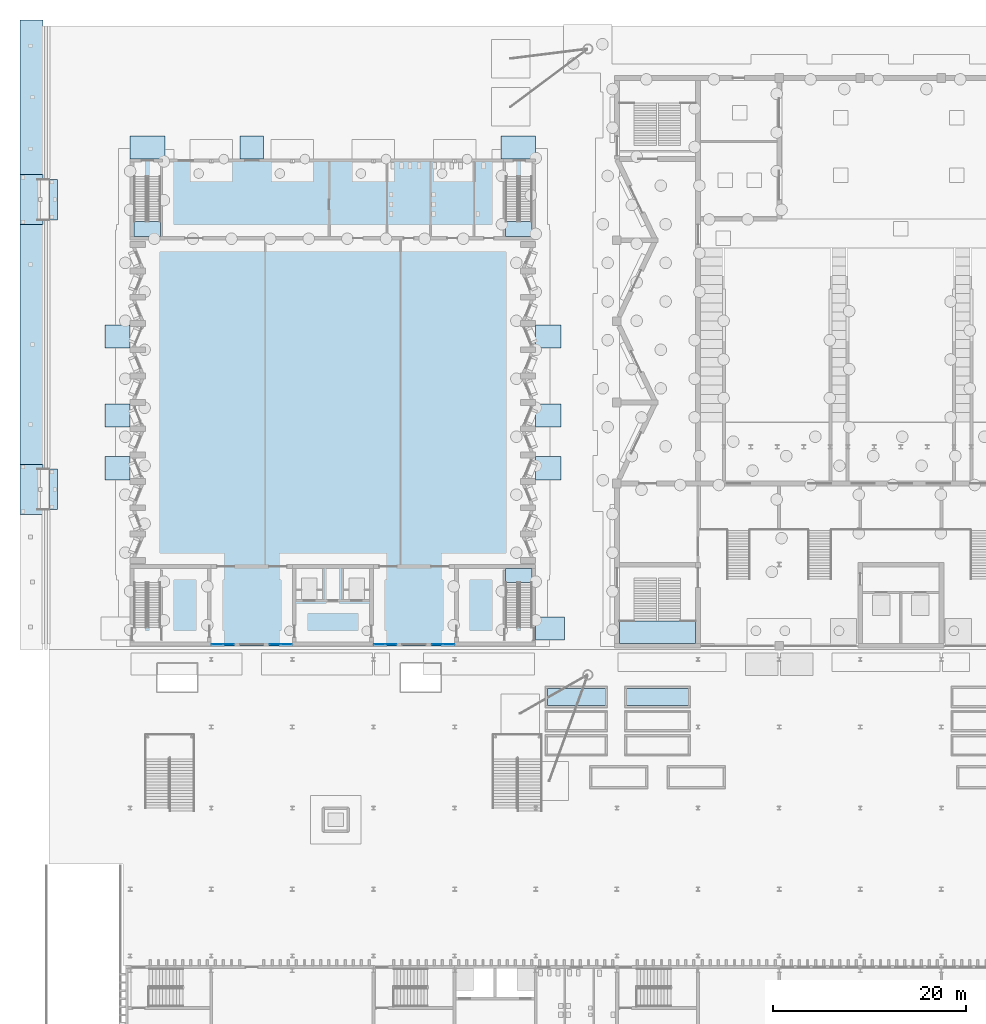
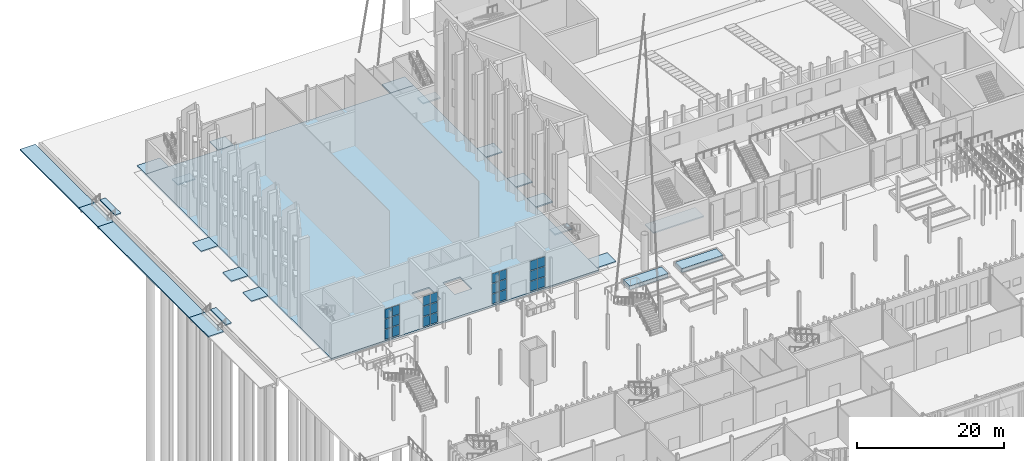
# One storey, part 47 of 108: 24 plates, 23 slabs, 8 elements without a shape of their own.
"""IFC4 building model written with IfcOpenShell, lengths in metres."""

import ifcopenshell
import ifcopenshell.guid

model = None  # the IFC model being written
_history = None  # IfcOwnerHistory: only IFC2X3 demands one
_inside = {}  # id of a spatial element -> (the spatial element, [elements in it])
_under = {}  # id of a project, library or spatial element -> (it, [spatial elements below it])
_declared = {}  # id of a project -> (the project, [libraries it declares])
_typed = {}  # id of a type object -> (the type object, [elements of that type])
_made_of = {}  # id of a material, layer set ... -> (it, [elements and type objects made of it])


def new_model(schema):
    """Start an empty IFC model of exactly this schema.

    Asked for "IFC4X3", IfcOpenShell would pick the latest addendum, in which some entities
    have other attributes; the version numbers below select the first issue.
    IFC2X3 requires an IfcOwnerHistory on every rooted entity: one is made here for all.
    """
    global model, _history
    if schema == "IFC4X3":
        model = ifcopenshell.file(schema_version=(4, 3, 0, 0))
    else:
        model = ifcopenshell.file(schema=schema)
    _inside.clear()
    _under.clear()
    _declared.clear()
    _typed.clear()
    _made_of.clear()
    _history = None
    if model.schema == "IFC2X3":
        org = make("IfcOrganization", Name="unknown")
        user = make(
            "IfcPersonAndOrganization",
            ThePerson=make("IfcPerson", FamilyName="unknown"),
            TheOrganization=org,
        )
        app = make(
            "IfcApplication",
            ApplicationDeveloper=org,
            Version="unknown",
            ApplicationFullName="unknown",
            ApplicationIdentifier="unknown",
        )
        _history = make(
            "IfcOwnerHistory",
            OwningUser=user,
            OwningApplication=app,
            ChangeAction="ADDED",
            CreationDate=0,
        )
    return model


def make(cls, **values):
    """One entity of the class cls with the attributes given. An attribute that is None is left unset."""
    return model.create_entity(
        cls, **{name: value for name, value in values.items() if value is not None}
    )


def rooted(cls, **values):
    """An entity with a GlobalId (a new one), such as an element, a storey or a relation."""
    return make(cls, GlobalId=ifcopenshell.guid.new(), OwnerHistory=_history, **values)


def si_unit(unit_type, name, prefix=None):
    """IfcSIUnit, for example si_unit("LENGTHUNIT", "METRE", prefix="MILLI")."""
    return make("IfcSIUnit", UnitType=unit_type, Prefix=prefix, Name=name)


def assignment(units):
    """IfcUnitAssignment: the units of a project."""
    return None if units is None else make("IfcUnitAssignment", Units=units)


def point(xyz):
    """IfcCartesianPoint."""
    return None if xyz is None else make("IfcCartesianPoint", Coordinates=xyz)


def direction(xyz):
    """IfcDirection."""
    return None if xyz is None else make("IfcDirection", DirectionRatios=xyz)


def frame(location, z_axis=None, x_axis=None):
    """IfcAxis2Placement3D, a coordinate frame: its origin and axes. An axis left out is left unset."""
    return make(
        "IfcAxis2Placement3D",
        Location=point(location),
        Axis=direction(z_axis),
        RefDirection=direction(x_axis),
    )


def frame_2d(location, x_axis=None):
    """IfcAxis2Placement2D, a coordinate frame in the plane: its origin and x axis."""
    return make(
        "IfcAxis2Placement2D", Location=point(location), RefDirection=direction(x_axis)
    )


def origin():
    """The frame at (0, 0, 0) with its axes left unset."""
    return frame((0.0, 0.0, 0.0))


def origin_2d():
    """The frame at (0, 0) in the plane with its x axis left unset."""
    return frame_2d((0.0, 0.0))


def place(relative_to, where):
    """IfcLocalPlacement: puts the frame where relative to a parent placement (None: the world)."""
    return make(
        "IfcLocalPlacement", PlacementRelTo=relative_to, RelativePlacement=where
    )


def context(
    kind, dimensions, precision=None, world=None, true_north=None, identifier=None
):
    """IfcGeometricRepresentationContext, for example the 3D "Model" context."""
    return make(
        "IfcGeometricRepresentationContext",
        ContextIdentifier=identifier,
        ContextType=kind,
        CoordinateSpaceDimension=dimensions,
        Precision=precision,
        WorldCoordinateSystem=world,
        TrueNorth=true_north,
    )


def subcontext(parent, identifier, kind, view, scale=None):
    """IfcGeometricRepresentationSubContext, for example "Body" below "Model"."""
    return make(
        "IfcGeometricRepresentationSubContext",
        ContextIdentifier=identifier,
        ContextType=kind,
        ParentContext=parent,
        TargetScale=scale,
        TargetView=view,
    )


def project(units=None, contexts=None):
    """IfcProject with its units and contexts."""
    return rooted(
        "IfcProject",
        Name="project",
        RepresentationContexts=contexts,
        UnitsInContext=assignment(units),
    )


def spatial(cls, under=None, at=None, **own):
    """A site, building, storey or space (cls), placed at a placement, below another one or the project."""
    s = rooted(cls, ObjectPlacement=at, **own)
    if under is not None:
        _under.setdefault(under.id(), (under, []))[1].append(s)
    return s


def polyline(points):
    """IfcPolyline through the points."""
    return make("IfcPolyline", Points=[point(p) for p in points])


def profile(cls, at=None, kind="AREA", **sizes):
    """A parametric profile (cls). Its sizes go by their IFC names, for example OverallWidth=200.0."""
    return make(cls, ProfileType=kind, Position=at, **sizes)


def rectangle(**sizes):
    """IfcRectangleProfileDef."""
    return profile("IfcRectangleProfileDef", **sizes)


def outline(outer, holes=None, kind="AREA"):
    """IfcArbitraryClosedProfileDef: a profile drawn as a closed curve; with holes, ...WithVoids."""
    if holes is None:
        return make("IfcArbitraryClosedProfileDef", ProfileType=kind, OuterCurve=outer)
    return make(
        "IfcArbitraryProfileDefWithVoids",
        ProfileType=kind,
        OuterCurve=outer,
        InnerCurves=holes,
    )


def extrude(swept, where, along, depth):
    """IfcExtrudedAreaSolid: the profile swept, set in the frame where, extruded along a direction by depth."""
    return make(
        "IfcExtrudedAreaSolid",
        SweptArea=swept,
        Position=where,
        ExtrudedDirection=direction(along),
        Depth=depth,
    )


def shape(context_of_items, identifier, shape_type, items):
    """IfcShapeRepresentation: the items that make up one representation, for example the "Body"."""
    return make(
        "IfcShapeRepresentation",
        ContextOfItems=context_of_items,
        RepresentationIdentifier=identifier,
        RepresentationType=shape_type,
        Items=items,
    )


def material(Name=None, Category=None):
    """IfcMaterial."""
    return make("IfcMaterial", Name=Name, Category=Category)


def layer(
    of_material, thickness, ventilated=None, Name=None, Category=None, Priority=None
):
    """IfcMaterialLayer: one layer of a wall or slab, of a material (None: an air gap)."""
    return make(
        "IfcMaterialLayer",
        Material=of_material,
        LayerThickness=thickness,
        IsVentilated=ventilated,
        Name=Name,
        Category=Category,
        Priority=Priority,
    )


def layer_set(layers, Name=None):
    """IfcMaterialLayerSet."""
    return make("IfcMaterialLayerSet", MaterialLayers=layers, LayerSetName=Name)


def made_of(thing, what):
    """Note that an element or type object is made of a material, layer set ...; save() writes the relation."""
    if what is not None:
        _made_of.setdefault(what.id(), (what, []))[1].append(thing)
    return thing


def type_object(cls, material=None, **own):
    """A type object (cls), such as IfcWallType, which elements share."""
    return made_of(rooted(cls, **own), material)


def element(
    cls,
    number,
    at=None,
    inside=None,
    cuts=None,
    type_object=None,
    material=None,
    context=None,
    identifier="Body",
    shape_type=None,
    held_by="IfcProductDefinitionShape",
    body=None,
    shapes=None,
    **own,
):
    """One element of the class cls, such as IfcWall. Its Tag is "e" and its number.

    at: its placement. inside: the storey or other place that contains it. cuts: it is an
    opening in that element (IfcRelVoidsElement). A single representation is given by context,
    identifier, shape_type and body (its items); several are given by shapes. held_by: the class
    of the entity that holds the representations. save() writes the other relations.
    """
    e = rooted(cls, Tag="e%d" % number, ObjectPlacement=at, **own)
    if body is not None:
        shapes = [shape(context, identifier, shape_type, body)]
    if shapes is not None:
        e.Representation = make(held_by, Representations=shapes)
    if inside is not None:
        _inside.setdefault(inside.id(), (inside, []))[1].append(e)
    if cuts is not None:
        rooted(
            "IfcRelVoidsElement", RelatingBuildingElement=cuts, RelatedOpeningElement=e
        )
    if type_object is not None:
        _typed.setdefault(type_object.id(), (type_object, []))[1].append(e)
    return made_of(e, material)


def aggregate(whole, parts):
    """IfcRelAggregates: a whole, such as a stair, and the parts it consists of."""
    return rooted("IfcRelAggregates", RelatingObject=whole, RelatedObjects=parts)


def save(model, path):
    """Write the relations noted so far, then the file.

    IfcRelAggregates (storeys below a building ...), IfcRelContainedInSpatialStructure (elements
    in a storey), IfcRelDefinesByType, IfcRelAssociatesMaterial and IfcRelDeclares: one each for
    every whole, place, type object, material and project.
    """
    for whole, parts in _under.values():
        aggregate(whole, parts)
    for where, things in _inside.values():
        rooted(
            "IfcRelContainedInSpatialStructure",
            RelatedElements=things,
            RelatingStructure=where,
        )
    for kind, things in _typed.values():
        rooted("IfcRelDefinesByType", RelatedObjects=things, RelatingType=kind)
    for what, things in _made_of.values():
        rooted("IfcRelAssociatesMaterial", RelatedObjects=things, RelatingMaterial=what)
    for by, libraries in _declared.values():
        rooted("IfcRelDeclares", RelatingContext=by, RelatedDefinitions=libraries)
    model.write(path)


model = new_model("IFC4")

# Units and contexts
model_context = context("Model", 3, precision=1e-05, world=origin(), true_north=direction((0.0, 1.0)))
body_context = subcontext(model_context, "Body", "Model", "MODEL_VIEW")
ifc_project = project(units=[si_unit("LENGTHUNIT", "METRE"), si_unit("AREAUNIT", "SQUARE_METRE"), si_unit("VOLUMEUNIT", "CUBIC_METRE"), si_unit("PLANEANGLEUNIT", "RADIAN"), si_unit("MASSUNIT", "GRAM", prefix="KILO")], contexts=[model_context])

# Site, building, storey
site_placement = place(None, origin())
site = spatial("IfcSite", under=ifc_project, at=site_placement, CompositionType="ELEMENT")
building_placement = place(site_placement, origin())
building = spatial("IfcBuilding", under=site, at=building_placement, Name="Cresset Court Congress Hotel", CompositionType="ELEMENT")
storey_placement = place(building_placement, origin())
storey = spatial("IfcBuildingStorey", under=building, at=storey_placement, Name="L00", CompositionType="ELEMENT", Elevation=0.0)

# Stair, slab
ifc_material_1 = material(Name="Concrete C40", Category="concrete")
stair_type_1 = type_object("IfcStairType", Name="Core stair", PredefinedType="STRAIGHT_RUN_STAIR", material=ifc_material_1)
stair_1_placement = place(storey_placement, origin())
stair_1 = element("IfcStair", 1, at=stair_1_placement, inside=storey, type_object=stair_type_1, Name="Stair ST-C1 L00", PredefinedType="STRAIGHT_RUN_STAIR")
ifc_material_2 = material(Name="Concrete C40", Category="concrete")
ifc_layer_1 = layer(ifc_material_2, 0.199951171875)
ifc_layer_set_1 = layer_set([ifc_layer_1], Name="Core stair landing")
slab_type_1 = type_object("IfcSlabType", Name="Core stair landing", PredefinedType="LANDING", material=ifc_layer_set_1)
slab_1_placement = place(storey_placement, frame((0.0, 0.0, 2.800048828125)))
slab_1 = element("IfcSlab", 2, at=slab_1_placement, type_object=slab_type_1, Name="C-ST landing 1", PredefinedType="LANDING", context=body_context, shape_type="SweptSolid", body=[
    extrude(outline(polyline([(66.949951171875, 59.050048828125), (66.949951171875, 61.3798828125), (59.050048828125, 61.3798828125), (59.050048828125, 59.050048828125), (66.949951171875, 59.050048828125)])), origin(), (0.0, 0.0, 1.0), 0.199951171875),
])
aggregate(stair_1, [slab_1])

# Curtain wall, plates
ifc_material_3 = material(Name="Aluminium frame with insulated glass", Category="aluminium")
curtain_wall_type = type_object("IfcCurtainWallType", Name="Curtain wall module 1200", PredefinedType="NOTDEFINED", material=ifc_material_3)
curtain_wall_1_placement = place(storey_placement, origin())
curtain_wall_1 = element("IfcCurtainWall", 3, at=curtain_wall_1_placement, inside=storey, type_object=curtain_wall_type, Name="Curtain wall W1", PredefinedType="NOTDEFINED")
ifc_material_4 = material(Name="Laminated glass", Category="glass")
ifc_layer_2 = layer(ifc_material_4, 0.028076171875)
ifc_layer_set_2 = layer_set([ifc_layer_2], Name="Curtain wall glass panel 28")
plate_type = type_object("IfcPlateType", Name="Curtain wall glass panel 28", PredefinedType="CURTAIN_PANEL", material=ifc_layer_set_2)
plate_1_placement = place(storey_placement, frame((17.4150390625, 58.949951171875, 0.1201171875), z_axis=(0.0, 0.0, 1.0), x_axis=(1.0, 0.0, 0.0)))
plate_1 = element("IfcPlate", 4, at=plate_1_placement, type_object=plate_type, Name="D-X1 panel 1.1", PredefinedType="CURTAIN_PANEL", context=body_context, shape_type="SweptSolid", body=[
    extrude(rectangle(XDim=1.110107421875, YDim=0.028076171875, at=origin_2d()), origin(), (0.0, 0.0, 1.0), 1.594970703125),
])
plate_2_placement = place(storey_placement, frame((17.4150390625, 58.949951171875, 1.8349609375), z_axis=(0.0, 0.0, 1.0), x_axis=(1.0, 0.0, 0.0)))
plate_2 = element("IfcPlate", 5, at=plate_2_placement, type_object=plate_type, Name="D-X1 panel 1.2", PredefinedType="CURTAIN_PANEL", context=body_context, shape_type="SweptSolid", body=[
    extrude(rectangle(XDim=1.110107421875, YDim=0.028076171875, at=origin_2d()), origin(), (0.0, 0.0, 1.0), 1.60205078125),
])
plate_3_placement = place(storey_placement, frame((17.4150390625, 58.949951171875, 3.55712890625), z_axis=(0.0, 0.0, 1.0), x_axis=(1.0, 0.0, 0.0)))
plate_3 = element("IfcPlate", 6, at=plate_3_placement, type_object=plate_type, Name="D-X1 panel 1.3", PredefinedType="CURTAIN_PANEL", context=body_context, shape_type="SweptSolid", body=[
    extrude(rectangle(XDim=1.110107421875, YDim=0.028076171875, at=origin_2d()), origin(), (0.0, 0.0, 1.0), 1.54296875),
])
plate_4_placement = place(storey_placement, frame((18.5849609375, 58.949951171875, 0.1201171875), z_axis=(0.0, 0.0, 1.0), x_axis=(1.0, 0.0, 0.0)))
plate_4 = element("IfcPlate", 7, at=plate_4_placement, type_object=plate_type, Name="D-X1 panel 2.1", PredefinedType="CURTAIN_PANEL", context=body_context, shape_type="SweptSolid", body=[
    extrude(rectangle(XDim=1.110107421875, YDim=0.028076171875, at=origin_2d()), origin(), (0.0, 0.0, 1.0), 1.594970703125),
])
plate_5_placement = place(storey_placement, frame((18.5849609375, 58.949951171875, 1.8349609375), z_axis=(0.0, 0.0, 1.0), x_axis=(1.0, 0.0, 0.0)))
plate_5 = element("IfcPlate", 8, at=plate_5_placement, type_object=plate_type, Name="D-X1 panel 2.2", PredefinedType="CURTAIN_PANEL", context=body_context, shape_type="SweptSolid", body=[
    extrude(rectangle(XDim=1.110107421875, YDim=0.028076171875, at=origin_2d()), origin(), (0.0, 0.0, 1.0), 1.60205078125),
])
plate_6_placement = place(storey_placement, frame((18.5849609375, 58.949951171875, 3.55712890625), z_axis=(0.0, 0.0, 1.0), x_axis=(1.0, 0.0, 0.0)))
plate_6 = element("IfcPlate", 9, at=plate_6_placement, type_object=plate_type, Name="D-X1 panel 2.3", PredefinedType="CURTAIN_PANEL", context=body_context, shape_type="SweptSolid", body=[
    extrude(rectangle(XDim=1.110107421875, YDim=0.028076171875, at=origin_2d()), origin(), (0.0, 0.0, 1.0), 1.54296875),
])
aggregate(curtain_wall_1, [plate_1, plate_2, plate_3, plate_4, plate_5, plate_6])

curtain_wall_2_placement = place(storey_placement, origin())
curtain_wall_2 = element("IfcCurtainWall", 10, at=curtain_wall_2_placement, inside=storey, type_object=curtain_wall_type, Name="Curtain wall W2", PredefinedType="NOTDEFINED")
plate_7_placement = place(storey_placement, frame((23.4150390625, 58.949951171875, 0.1201171875), z_axis=(0.0, 0.0, 1.0), x_axis=(1.0, 0.0, 0.0)))
plate_7 = element("IfcPlate", 11, at=plate_7_placement, type_object=plate_type, Name="D-X1 panel 1.1", PredefinedType="CURTAIN_PANEL", context=body_context, shape_type="SweptSolid", body=[
    extrude(rectangle(XDim=1.110107421875, YDim=0.028076171875, at=origin_2d()), origin(), (0.0, 0.0, 1.0), 1.594970703125),
])
plate_8_placement = place(storey_placement, frame((23.4150390625, 58.949951171875, 1.8349609375), z_axis=(0.0, 0.0, 1.0), x_axis=(1.0, 0.0, 0.0)))
plate_8 = element("IfcPlate", 12, at=plate_8_placement, type_object=plate_type, Name="D-X1 panel 1.2", PredefinedType="CURTAIN_PANEL", context=body_context, shape_type="SweptSolid", body=[
    extrude(rectangle(XDim=1.110107421875, YDim=0.028076171875, at=origin_2d()), origin(), (0.0, 0.0, 1.0), 1.60205078125),
])
plate_9_placement = place(storey_placement, frame((23.4150390625, 58.949951171875, 3.55712890625), z_axis=(0.0, 0.0, 1.0), x_axis=(1.0, 0.0, 0.0)))
plate_9 = element("IfcPlate", 13, at=plate_9_placement, type_object=plate_type, Name="D-X1 panel 1.3", PredefinedType="CURTAIN_PANEL", context=body_context, shape_type="SweptSolid", body=[
    extrude(rectangle(XDim=1.110107421875, YDim=0.028076171875, at=origin_2d()), origin(), (0.0, 0.0, 1.0), 1.54296875),
])
plate_10_placement = place(storey_placement, frame((24.5849609375, 58.949951171875, 0.1201171875), z_axis=(0.0, 0.0, 1.0), x_axis=(1.0, 0.0, 0.0)))
plate_10 = element("IfcPlate", 14, at=plate_10_placement, type_object=plate_type, Name="D-X1 panel 2.1", PredefinedType="CURTAIN_PANEL", context=body_context, shape_type="SweptSolid", body=[
    extrude(rectangle(XDim=1.110107421875, YDim=0.028076171875, at=origin_2d()), origin(), (0.0, 0.0, 1.0), 1.594970703125),
])
plate_11_placement = place(storey_placement, frame((24.5849609375, 58.949951171875, 1.8349609375), z_axis=(0.0, 0.0, 1.0), x_axis=(1.0, 0.0, 0.0)))
plate_11 = element("IfcPlate", 15, at=plate_11_placement, type_object=plate_type, Name="D-X1 panel 2.2", PredefinedType="CURTAIN_PANEL", context=body_context, shape_type="SweptSolid", body=[
    extrude(rectangle(XDim=1.110107421875, YDim=0.028076171875, at=origin_2d()), origin(), (0.0, 0.0, 1.0), 1.60205078125),
])
plate_12_placement = place(storey_placement, frame((24.5849609375, 58.949951171875, 3.55712890625), z_axis=(0.0, 0.0, 1.0), x_axis=(1.0, 0.0, 0.0)))
plate_12 = element("IfcPlate", 16, at=plate_12_placement, type_object=plate_type, Name="D-X1 panel 2.3", PredefinedType="CURTAIN_PANEL", context=body_context, shape_type="SweptSolid", body=[
    extrude(rectangle(XDim=1.110107421875, YDim=0.028076171875, at=origin_2d()), origin(), (0.0, 0.0, 1.0), 1.54296875),
])
aggregate(curtain_wall_2, [plate_7, plate_8, plate_9, plate_10, plate_11, plate_12])

curtain_wall_3_placement = place(storey_placement, origin())
curtain_wall_3 = element("IfcCurtainWall", 17, at=curtain_wall_3_placement, inside=storey, type_object=curtain_wall_type, Name="Curtain wall E1", PredefinedType="NOTDEFINED")
plate_13_placement = place(storey_placement, frame((34.215087890625, 58.949951171875, 0.1201171875), z_axis=(0.0, 0.0, 1.0), x_axis=(1.0, 0.0, 0.0)))
plate_13 = element("IfcPlate", 18, at=plate_13_placement, type_object=plate_type, Name="D-X1 panel 1.1", PredefinedType="CURTAIN_PANEL", context=body_context, shape_type="SweptSolid", body=[
    extrude(rectangle(XDim=1.110107421875, YDim=0.028076171875, at=origin_2d()), origin(), (0.0, 0.0, 1.0), 1.594970703125),
])
plate_14_placement = place(storey_placement, frame((34.215087890625, 58.949951171875, 1.8349609375), z_axis=(0.0, 0.0, 1.0), x_axis=(1.0, 0.0, 0.0)))
plate_14 = element("IfcPlate", 19, at=plate_14_placement, type_object=plate_type, Name="D-X1 panel 1.2", PredefinedType="CURTAIN_PANEL", context=body_context, shape_type="SweptSolid", body=[
    extrude(rectangle(XDim=1.110107421875, YDim=0.028076171875, at=origin_2d()), origin(), (0.0, 0.0, 1.0), 1.60205078125),
])
plate_15_placement = place(storey_placement, frame((34.215087890625, 58.949951171875, 3.55712890625), z_axis=(0.0, 0.0, 1.0), x_axis=(1.0, 0.0, 0.0)))
plate_15 = element("IfcPlate", 20, at=plate_15_placement, type_object=plate_type, Name="D-X1 panel 1.3", PredefinedType="CURTAIN_PANEL", context=body_context, shape_type="SweptSolid", body=[
    extrude(rectangle(XDim=1.110107421875, YDim=0.028076171875, at=origin_2d()), origin(), (0.0, 0.0, 1.0), 1.54296875),
])
plate_16_placement = place(storey_placement, frame((35.385009765625, 58.949951171875, 0.1201171875), z_axis=(0.0, 0.0, 1.0), x_axis=(1.0, 0.0, 0.0)))
plate_16 = element("IfcPlate", 21, at=plate_16_placement, type_object=plate_type, Name="D-X1 panel 2.1", PredefinedType="CURTAIN_PANEL", context=body_context, shape_type="SweptSolid", body=[
    extrude(rectangle(XDim=1.110107421875, YDim=0.028076171875, at=origin_2d()), origin(), (0.0, 0.0, 1.0), 1.594970703125),
])
plate_17_placement = place(storey_placement, frame((35.385009765625, 58.949951171875, 1.8349609375), z_axis=(0.0, 0.0, 1.0), x_axis=(1.0, 0.0, 0.0)))
plate_17 = element("IfcPlate", 22, at=plate_17_placement, type_object=plate_type, Name="D-X1 panel 2.2", PredefinedType="CURTAIN_PANEL", context=body_context, shape_type="SweptSolid", body=[
    extrude(rectangle(XDim=1.110107421875, YDim=0.028076171875, at=origin_2d()), origin(), (0.0, 0.0, 1.0), 1.60205078125),
])
plate_18_placement = place(storey_placement, frame((35.385009765625, 58.949951171875, 3.55712890625), z_axis=(0.0, 0.0, 1.0), x_axis=(1.0, 0.0, 0.0)))
plate_18 = element("IfcPlate", 23, at=plate_18_placement, type_object=plate_type, Name="D-X1 panel 2.3", PredefinedType="CURTAIN_PANEL", context=body_context, shape_type="SweptSolid", body=[
    extrude(rectangle(XDim=1.110107421875, YDim=0.028076171875, at=origin_2d()), origin(), (0.0, 0.0, 1.0), 1.54296875),
])
aggregate(curtain_wall_3, [plate_13, plate_14, plate_15, plate_16, plate_17, plate_18])

curtain_wall_4_placement = place(storey_placement, origin())
curtain_wall_4 = element("IfcCurtainWall", 24, at=curtain_wall_4_placement, inside=storey, type_object=curtain_wall_type, Name="Curtain wall E2", PredefinedType="NOTDEFINED")
plate_19_placement = place(storey_placement, frame((40.215087890625, 58.949951171875, 0.1201171875), z_axis=(0.0, 0.0, 1.0), x_axis=(1.0, 0.0, 0.0)))
plate_19 = element("IfcPlate", 25, at=plate_19_placement, type_object=plate_type, Name="D-X1 panel 1.1", PredefinedType="CURTAIN_PANEL", context=body_context, shape_type="SweptSolid", body=[
    extrude(rectangle(XDim=1.110107421875, YDim=0.028076171875, at=origin_2d()), origin(), (0.0, 0.0, 1.0), 1.594970703125),
])
plate_20_placement = place(storey_placement, frame((40.215087890625, 58.949951171875, 1.8349609375), z_axis=(0.0, 0.0, 1.0), x_axis=(1.0, 0.0, 0.0)))
plate_20 = element("IfcPlate", 26, at=plate_20_placement, type_object=plate_type, Name="D-X1 panel 1.2", PredefinedType="CURTAIN_PANEL", context=body_context, shape_type="SweptSolid", body=[
    extrude(rectangle(XDim=1.110107421875, YDim=0.028076171875, at=origin_2d()), origin(), (0.0, 0.0, 1.0), 1.60205078125),
])
plate_21_placement = place(storey_placement, frame((40.215087890625, 58.949951171875, 3.55712890625), z_axis=(0.0, 0.0, 1.0), x_axis=(1.0, 0.0, 0.0)))
plate_21 = element("IfcPlate", 27, at=plate_21_placement, type_object=plate_type, Name="D-X1 panel 1.3", PredefinedType="CURTAIN_PANEL", context=body_context, shape_type="SweptSolid", body=[
    extrude(rectangle(XDim=1.110107421875, YDim=0.028076171875, at=origin_2d()), origin(), (0.0, 0.0, 1.0), 1.54296875),
])
plate_22_placement = place(storey_placement, frame((41.385009765625, 58.949951171875, 0.1201171875), z_axis=(0.0, 0.0, 1.0), x_axis=(1.0, 0.0, 0.0)))
plate_22 = element("IfcPlate", 28, at=plate_22_placement, type_object=plate_type, Name="D-X1 panel 2.1", PredefinedType="CURTAIN_PANEL", context=body_context, shape_type="SweptSolid", body=[
    extrude(rectangle(XDim=1.110107421875, YDim=0.028076171875, at=origin_2d()), origin(), (0.0, 0.0, 1.0), 1.594970703125),
])
plate_23_placement = place(storey_placement, frame((41.385009765625, 58.949951171875, 1.8349609375), z_axis=(0.0, 0.0, 1.0), x_axis=(1.0, 0.0, 0.0)))
plate_23 = element("IfcPlate", 29, at=plate_23_placement, type_object=plate_type, Name="D-X1 panel 2.2", PredefinedType="CURTAIN_PANEL", context=body_context, shape_type="SweptSolid", body=[
    extrude(rectangle(XDim=1.110107421875, YDim=0.028076171875, at=origin_2d()), origin(), (0.0, 0.0, 1.0), 1.60205078125),
])
plate_24_placement = place(storey_placement, frame((41.385009765625, 58.949951171875, 3.55712890625), z_axis=(0.0, 0.0, 1.0), x_axis=(1.0, 0.0, 0.0)))
plate_24 = element("IfcPlate", 30, at=plate_24_placement, type_object=plate_type, Name="D-X1 panel 2.3", PredefinedType="CURTAIN_PANEL", context=body_context, shape_type="SweptSolid", body=[
    extrude(rectangle(XDim=1.110107421875, YDim=0.028076171875, at=origin_2d()), origin(), (0.0, 0.0, 1.0), 1.54296875),
])
aggregate(curtain_wall_4, [plate_19, plate_20, plate_21, plate_22, plate_23, plate_24])

# Slabs
ifc_material_5 = material(Name="Concrete C35", Category="concrete")
ifc_layer_3 = layer(ifc_material_5, 0.199951171875)
ifc_layer_set_3 = layer_set([ifc_layer_3], Name="Exit apron slab 200 C35")
slab_type_2 = type_object("IfcSlabType", Name="Exit apron slab 200 C35", PredefinedType="BASESLAB", material=ifc_layer_set_3)
slab_2_placement = place(storey_placement, frame((0.0, 0.0, -0.199951171875)))
element("IfcSlab", 31, at=slab_2_placement, inside=storey, type_object=slab_type_2, Name="Exit apron", PredefinedType="BASESLAB", context=body_context, shape_type="SweptSolid", body=[
    extrude(outline(polyline([(5.800048828125, 75.987548828125), (8.39990234375, 75.987548828125), (8.39990234375, 78.387451171875), (5.800048828125, 78.387451171875), (5.800048828125, 75.987548828125)])), origin(), (0.0, 0.0, 1.0), 0.199951171875),
])
slab_3_placement = place(storey_placement, frame((0.0, 0.0, -0.199951171875)))
element("IfcSlab", 32, at=slab_3_placement, inside=storey, type_object=slab_type_2, Name="Exit apron", PredefinedType="BASESLAB", context=body_context, shape_type="SweptSolid", body=[
    extrude(outline(polyline([(5.800048828125, 81.4375), (8.39990234375, 81.4375), (8.39990234375, 83.83740234375), (5.800048828125, 83.83740234375), (5.800048828125, 81.4375)])), origin(), (0.0, 0.0, 1.0), 0.199951171875),
])
slab_4_placement = place(storey_placement, frame((0.0, 0.0, -0.199951171875)))
element("IfcSlab", 33, at=slab_4_placement, inside=storey, type_object=slab_type_2, Name="Exit apron", PredefinedType="BASESLAB", context=body_context, shape_type="SweptSolid", body=[
    extrude(outline(polyline([(5.800048828125, 89.612548828125), (8.39990234375, 89.612548828125), (8.39990234375, 92.012451171875), (5.800048828125, 92.012451171875), (5.800048828125, 89.612548828125)])), origin(), (0.0, 0.0, 1.0), 0.199951171875),
])
slab_5_placement = place(storey_placement, frame((0.0, 0.0, -0.199951171875)))
element("IfcSlab", 34, at=slab_5_placement, inside=storey, type_object=slab_type_2, Name="Exit apron", PredefinedType="BASESLAB", context=body_context, shape_type="SweptSolid", body=[
    extrude(outline(polyline([(50.39990234375, 75.987548828125), (53.0, 75.987548828125), (53.0, 78.387451171875), (50.39990234375, 78.387451171875), (50.39990234375, 75.987548828125)])), origin(), (0.0, 0.0, 1.0), 0.199951171875),
])
slab_6_placement = place(storey_placement, frame((0.0, 0.0, -0.199951171875)))
element("IfcSlab", 35, at=slab_6_placement, inside=storey, type_object=slab_type_2, Name="Exit apron", PredefinedType="BASESLAB", context=body_context, shape_type="SweptSolid", body=[
    extrude(outline(polyline([(50.39990234375, 81.4375), (53.0, 81.4375), (53.0, 83.83740234375), (50.39990234375, 83.83740234375), (50.39990234375, 81.4375)])), origin(), (0.0, 0.0, 1.0), 0.199951171875),
])
slab_7_placement = place(storey_placement, frame((0.0, 0.0, -0.199951171875)))
element("IfcSlab", 36, at=slab_7_placement, inside=storey, type_object=slab_type_2, Name="Exit apron", PredefinedType="BASESLAB", context=body_context, shape_type="SweptSolid", body=[
    extrude(outline(polyline([(50.39990234375, 89.612548828125), (53.0, 89.612548828125), (53.0, 92.012451171875), (50.39990234375, 92.012451171875), (50.39990234375, 89.612548828125)])), origin(), (0.0, 0.0, 1.0), 0.199951171875),
])
slab_8_placement = place(storey_placement, frame((0.0, 0.0, -0.199951171875)))
element("IfcSlab", 37, at=slab_8_placement, inside=storey, type_object=slab_type_2, Name="Exit apron", PredefinedType="BASESLAB", context=body_context, shape_type="SweptSolid", body=[
    extrude(outline(polyline([(50.39990234375, 59.39990234375), (53.39990234375, 59.39990234375), (53.39990234375, 61.800048828125), (50.39990234375, 61.800048828125), (50.39990234375, 59.39990234375)])), origin(), (0.0, 0.0, 1.0), 0.199951171875),
])
slab_9_placement = place(storey_placement, frame((0.0, 0.0, -0.199951171875)))
element("IfcSlab", 38, at=slab_9_placement, inside=storey, type_object=slab_type_2, Name="Exit apron", PredefinedType="BASESLAB", context=body_context, shape_type="SweptSolid", body=[
    extrude(outline(polyline([(8.39990234375, 109.199951171875), (12.0, 109.199951171875), (12.0, 111.60009765625), (8.39990234375, 111.60009765625), (8.39990234375, 109.199951171875)])), origin(), (0.0, 0.0, 1.0), 0.199951171875),
])
slab_10_placement = place(storey_placement, frame((0.0, 0.0, -0.199951171875)))
element("IfcSlab", 39, at=slab_10_placement, inside=storey, type_object=slab_type_2, Name="Exit apron", PredefinedType="BASESLAB", context=body_context, shape_type="SweptSolid", body=[
    extrude(outline(polyline([(46.800048828125, 109.199951171875), (50.39990234375, 109.199951171875), (50.39990234375, 111.60009765625), (46.800048828125, 111.60009765625), (46.800048828125, 109.199951171875)])), origin(), (0.0, 0.0, 1.0), 0.199951171875),
])
slab_11_placement = place(storey_placement, frame((0.0, 0.0, -0.199951171875)))
element("IfcSlab", 40, at=slab_11_placement, inside=storey, type_object=slab_type_2, Name="Exit apron", PredefinedType="BASESLAB", context=body_context, shape_type="SweptSolid", body=[
    extrude(outline(polyline([(19.800048828125, 109.199951171875), (22.199951171875, 109.199951171875), (22.199951171875, 111.60009765625), (19.800048828125, 111.60009765625), (19.800048828125, 109.199951171875)])), origin(), (0.0, 0.0, 1.0), 0.199951171875),
])
ifc_material_6 = material(Name="Concrete C35", Category="concrete")
ifc_layer_4 = layer(ifc_material_6, 0.25)
ifc_layer_set_4 = layer_set([ifc_layer_4], Name="Ground slab 250 C35")
slab_type_3 = type_object("IfcSlabType", Name="Ground slab 250 C35", PredefinedType="BASESLAB", material=ifc_layer_set_4)
slab_12_placement = place(storey_placement, frame((0.0, 0.0, -0.25)))
element("IfcSlab", 41, at=slab_12_placement, inside=storey, type_object=slab_type_3, Name="Ballroom ground slab", PredefinedType="BASESLAB", context=body_context, shape_type="SweptSolid", body=[
    extrude(outline(polyline([(8.39990234375, 58.800048828125), (50.39990234375, 58.800048828125), (50.39990234375, 109.199951171875), (8.39990234375, 109.199951171875), (8.39990234375, 58.800048828125)]), holes=[polyline([(25.60009765625, 63.60009765625), (28.300048828125, 63.60009765625), (28.300048828125, 66.800048828125), (25.60009765625, 66.800048828125), (25.60009765625, 63.60009765625)]), polyline([(30.5, 63.60009765625), (33.199951171875, 63.60009765625), (33.199951171875, 66.800048828125), (30.5, 66.800048828125), (30.5, 63.60009765625)])]), origin(), (0.0, 0.0, 1.0), 0.25),
])
ifc_material_7 = material(Name="Concrete C35", Category="concrete")
ifc_layer_5 = layer(ifc_material_7, 0.199951171875)
ifc_layer_set_5 = layer_set([ifc_layer_5], Name="Landing slab 200")
slab_type_4 = type_object("IfcSlabType", Name="Landing slab 200", PredefinedType="LANDING", material=ifc_layer_set_5)
slab_13_placement = place(storey_placement, frame((0.0, 0.0, -0.800048828125)))
element("IfcSlab", 42, at=slab_13_placement, inside=storey, type_object=slab_type_4, Name="Step foot landing W1", PredefinedType="LANDING", context=body_context, shape_type="SweptSolid", body=[
    extrude(outline(polyline([(-2.998046875, 72.39990234375), (-0.60009765625, 72.39990234375), (-0.60009765625, 77.60009765625), (-2.998046875, 77.60009765625), (-2.998046875, 72.39990234375)])), origin(), (0.0, 0.0, 1.0), 0.199951171875),
])
slab_14_placement = place(storey_placement, frame((0.0, 0.0, -0.800048828125)))
element("IfcSlab", 43, at=slab_14_placement, inside=storey, type_object=slab_type_4, Name="Step foot landing W2", PredefinedType="LANDING", context=body_context, shape_type="SweptSolid", body=[
    extrude(outline(polyline([(-2.998046875, 102.39990234375), (-0.60009765625, 102.39990234375), (-0.60009765625, 107.60009765625), (-2.998046875, 107.60009765625), (-2.998046875, 102.39990234375)])), origin(), (0.0, 0.0, 1.0), 0.199951171875),
])
slab_15_placement = place(storey_placement, frame((0.0, 0.0, -0.199951171875)))
element("IfcSlab", 44, at=slab_15_placement, inside=storey, type_object=slab_type_4, Name="Step landing T", PredefinedType="LANDING", context=body_context, shape_type="SweptSolid", body=[
    extrude(outline(polyline([(0.0, 72.89990234375), (0.89990234375, 72.89990234375), (0.89990234375, 77.10009765625), (0.0, 77.10009765625), (0.0, 72.89990234375)])), origin(), (0.0, 0.0, 1.0), 0.199951171875),
])
slab_16_placement = place(storey_placement, frame((0.0, 0.0, -0.199951171875)))
element("IfcSlab", 45, at=slab_16_placement, inside=storey, type_object=slab_type_4, Name="Step landing T", PredefinedType="LANDING", context=body_context, shape_type="SweptSolid", body=[
    extrude(outline(polyline([(0.0, 102.89990234375), (0.89990234375, 102.89990234375), (0.89990234375, 107.10009765625), (0.0, 107.10009765625), (0.0, 102.89990234375)])), origin(), (0.0, 0.0, 1.0), 0.199951171875),
])
ifc_material_8 = material(Name="Planting soil")
ifc_layer_6 = layer(ifc_material_8, 0.64990234375)
ifc_layer_set_6 = layer_set([ifc_layer_6], Name="Planter soil 650")
slab_type_5 = type_object("IfcSlabType", Name="Planter soil 650", PredefinedType="FLOOR", material=ifc_layer_set_6)
slab_17_placement = place(storey_placement, origin())
element("IfcSlab", 46, at=slab_17_placement, inside=storey, type_object=slab_type_5, Name="Terrace planting bed 03", PredefinedType="FLOOR", context=body_context, shape_type="SweptSolid", body=[
    extrude(outline(polyline([(51.60009765625, 52.60009765625), (57.60009765625, 52.60009765625), (57.60009765625, 54.39990234375), (51.60009765625, 54.39990234375), (51.60009765625, 52.60009765625)])), origin(), (0.0, 0.0, 1.0), 0.64990234375),
])
slab_18_placement = place(storey_placement, origin())
element("IfcSlab", 47, at=slab_18_placement, inside=storey, type_object=slab_type_5, Name="Terrace planting bed 06", PredefinedType="FLOOR", context=body_context, shape_type="SweptSolid", body=[
    extrude(outline(polyline([(59.800048828125, 52.60009765625), (66.199951171875, 52.60009765625), (66.199951171875, 54.39990234375), (59.800048828125, 54.39990234375), (59.800048828125, 52.60009765625)])), origin(), (0.0, 0.0, 1.0), 0.64990234375),
])

# Stair, slab
ifc_material_9 = material(Name="Half-turn stair 1300")
stair_type_2 = type_object("IfcStairType", Name="Half-turn stair 1300", PredefinedType="HALF_TURN_STAIR", material=ifc_material_9)
stair_2_placement = place(storey_placement, origin())
stair_2 = element("IfcStair", 48, at=stair_2_placement, inside=storey, type_object=stair_type_2, Name="L00 stair", PredefinedType="HALF_TURN_STAIR")
ifc_material_10 = material(Name="Concrete C35", Category="concrete")
ifc_layer_7 = layer(ifc_material_10, 0.199951171875)
ifc_layer_set_7 = layer_set([ifc_layer_7], Name="Stair landing 200 C35")
slab_type_6 = type_object("IfcSlabType", Name="Stair landing 200 C35", PredefinedType="LANDING", material=ifc_layer_set_7)
slab_19_placement = place(storey_placement, frame((0.0, 0.0, 2.800048828125)))
slab_19 = element("IfcSlab", 49, at=slab_19_placement, type_object=slab_type_6, Name="ST-D2 landing 1", PredefinedType="LANDING", context=body_context, shape_type="SweptSolid", body=[
    extrude(outline(polyline([(50.0, 65.3798828125), (50.0, 66.800048828125), (47.25, 66.800048828125), (47.25, 65.3798828125), (50.0, 65.3798828125)])), origin(), (0.0, 0.0, 1.0), 0.199951171875),
])
aggregate(stair_2, [slab_19])

stair_3_placement = place(storey_placement, origin())
stair_3 = element("IfcStair", 50, at=stair_3_placement, inside=storey, type_object=stair_type_2, Name="L00 stair", PredefinedType="HALF_TURN_STAIR")
slab_20_placement = place(storey_placement, frame((0.0, 0.0, 2.800048828125)))
slab_20 = element("IfcSlab", 51, at=slab_20_placement, type_object=slab_type_6, Name="ST-D3 landing 1", PredefinedType="LANDING", context=body_context, shape_type="SweptSolid", body=[
    extrude(outline(polyline([(8.800048828125, 102.719970703125), (8.800048828125, 101.199951171875), (11.550048828125, 101.199951171875), (11.550048828125, 102.719970703125), (8.800048828125, 102.719970703125)])), origin(), (0.0, 0.0, 1.0), 0.199951171875),
])
aggregate(stair_3, [slab_20])

stair_4_placement = place(storey_placement, origin())
stair_4 = element("IfcStair", 52, at=stair_4_placement, inside=storey, type_object=stair_type_2, Name="L00 stair", PredefinedType="HALF_TURN_STAIR")
slab_21_placement = place(storey_placement, frame((0.0, 0.0, 2.800048828125)))
slab_21 = element("IfcSlab", 53, at=slab_21_placement, type_object=slab_type_6, Name="ST-D4 landing 1", PredefinedType="LANDING", context=body_context, shape_type="SweptSolid", body=[
    extrude(outline(polyline([(47.25, 102.719970703125), (47.25, 101.199951171875), (50.0, 101.199951171875), (50.0, 102.719970703125), (47.25, 102.719970703125)])), origin(), (0.0, 0.0, 1.0), 0.199951171875),
])
aggregate(stair_4, [slab_21])

# Slabs
ifc_material_11 = material(Name="Concrete C35", Category="concrete")
ifc_layer_8 = layer(ifc_material_11, 0.199951171875)
ifc_layer_set_8 = layer_set([ifc_layer_8], Name="Street apron slab 200")
slab_type_7 = type_object("IfcSlabType", Name="Street apron slab 200", PredefinedType="FLOOR", material=ifc_layer_set_8)
slab_22_placement = place(storey_placement, frame((0.0, 0.0, -0.800048828125)))
element("IfcSlab", 54, at=slab_22_placement, inside=storey, type_object=slab_type_7, Name="Street apron W02", PredefinedType="FLOOR", context=body_context, shape_type="SweptSolid", body=[
    extrude(outline(polyline([(-2.998046875, 77.60009765625), (-0.60009765625, 77.60009765625), (-0.60009765625, 102.39990234375), (-2.998046875, 102.39990234375), (-2.998046875, 77.60009765625)])), origin(), (0.0, 0.0, 1.0), 0.199951171875),
])
slab_23_placement = place(storey_placement, frame((0.0, 0.0, -0.800048828125)))
element("IfcSlab", 55, at=slab_23_placement, inside=storey, type_object=slab_type_7, Name="Street apron W03", PredefinedType="FLOOR", context=body_context, shape_type="SweptSolid", body=[
    extrude(outline(polyline([(-2.998046875, 107.60009765625), (-0.60009765625, 107.60009765625), (-0.60009765625, 123.597900390625), (-2.998046875, 123.597900390625), (-2.998046875, 107.60009765625)])), origin(), (0.0, 0.0, 1.0), 0.199951171875),
])

save(model, "model.ifc")
